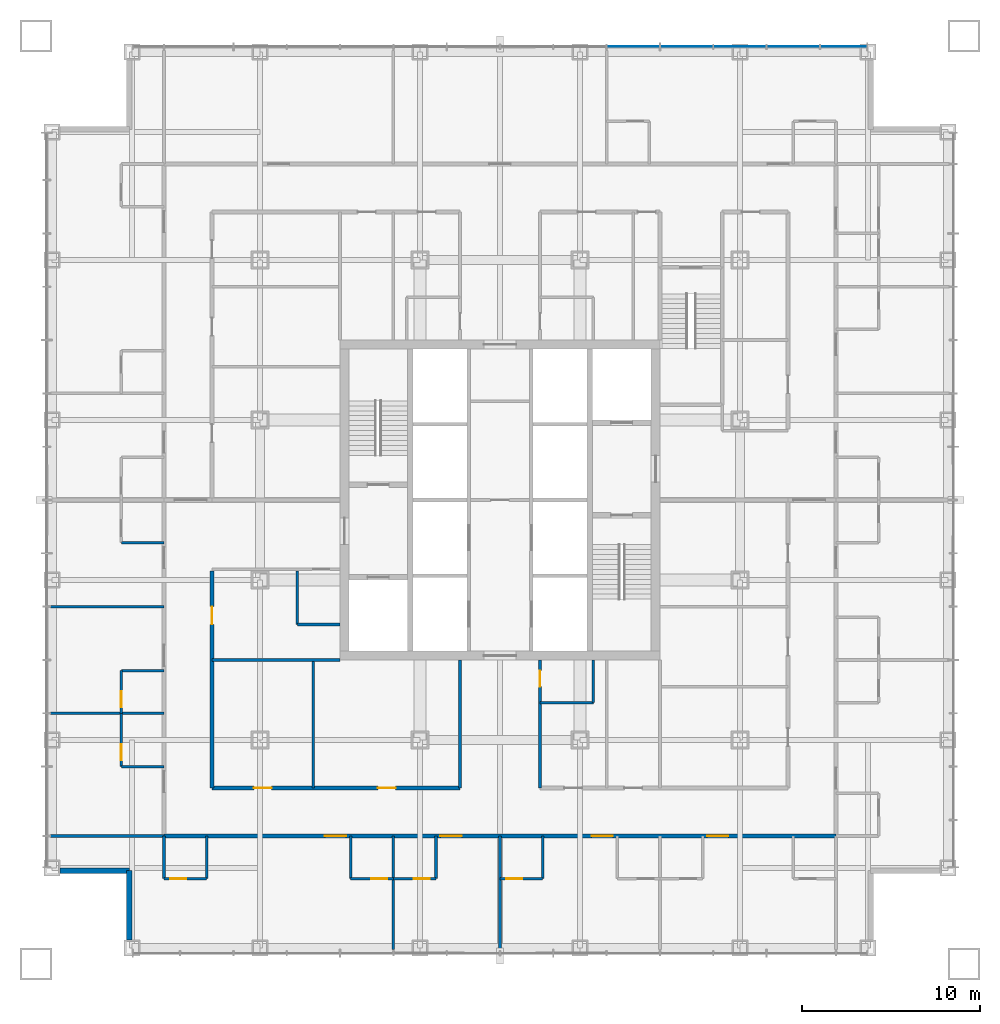
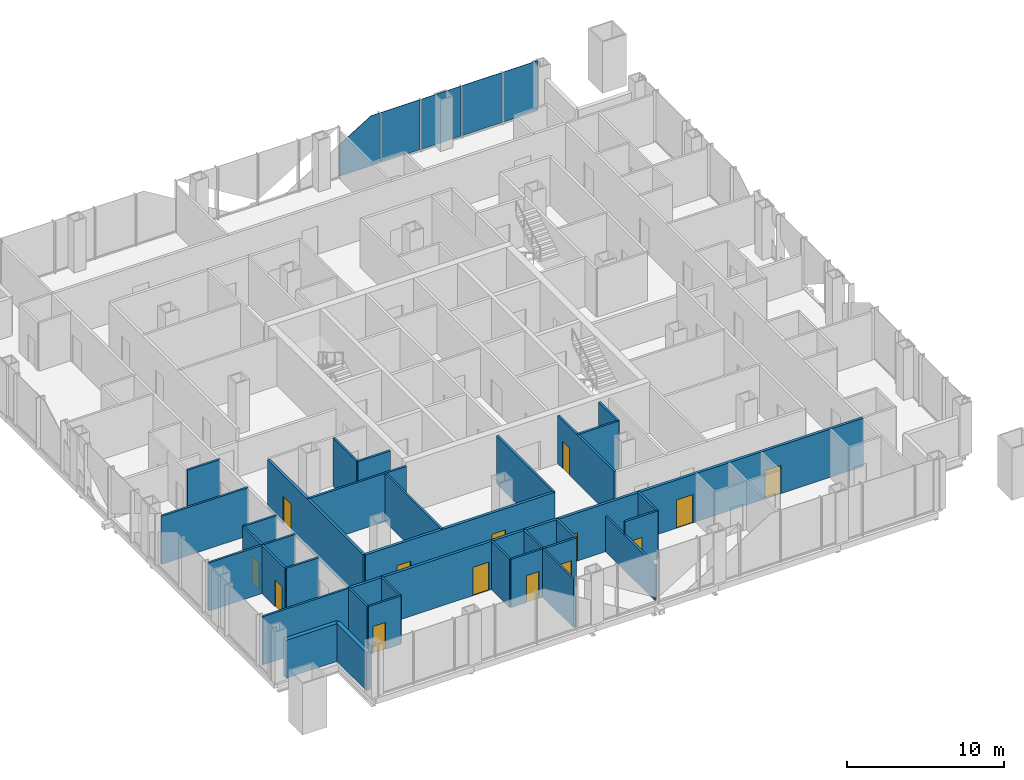
# One storey, part 7 of 13: 32 walls, 14 doors, 5 plates, 14 openings, 1 element without a shape of its own.
"""IFC4 building model written with IfcOpenShell, lengths in metres."""

from ifc_helpers import new_model, si_unit, direction, frame, frame_2d, origin, origin_2d, place, context, subcontext, project, spatial, polyline, rectangle, outline, extrude, material, layer, layer_set, type_object, element, fill, aggregate, save


model = new_model("IFC4")

# Units and contexts
model_context = context("Model", 3, precision=1e-05, world=origin(), true_north=direction((0.0, 1.0)))
body_context = subcontext(model_context, "Body", "Model", "MODEL_VIEW")
ifc_project = project(units=[si_unit("LENGTHUNIT", "METRE"), si_unit("AREAUNIT", "SQUARE_METRE"), si_unit("VOLUMEUNIT", "CUBIC_METRE"), si_unit("PLANEANGLEUNIT", "RADIAN"), si_unit("MASSUNIT", "GRAM", prefix="KILO")], contexts=[model_context])

# Site, building, storey
site_placement = place(None, origin())
site = spatial("IfcSite", under=ifc_project, at=site_placement, CompositionType="ELEMENT")
building_placement = place(site_placement, origin())
building = spatial("IfcBuilding", under=site, at=building_placement, Name="Malebo Sky Hospital", CompositionType="ELEMENT")
storey_placement = place(building_placement, frame((0.0, 0.0, 79.0)))
storey = spatial("IfcBuildingStorey", under=building, at=storey_placement, Name="L18", CompositionType="ELEMENT", Elevation=79.0)

# Curtain wall, plates
ifc_material_1 = material(Name="Anodised aluminium, natural silver", Category="aluminium")
ifc_layer_1 = layer(ifc_material_1, 0.25)
ifc_layer_set_1 = layer_set([ifc_layer_1], Name="WARD CURTAIN WALL NORTH AND SOUTH")
curtain_wall_type = type_object("IfcCurtainWallType", Name="WARD CURTAIN WALL NORTH AND SOUTH", PredefinedType="NOTDEFINED", material=ifc_layer_set_1)
curtain_wall_placement = place(storey_placement, origin())
curtain_wall = element("IfcCurtainWall", 1, at=curtain_wall_placement, inside=storey, type_object=curtain_wall_type, Name="NS curtain wall N", PredefinedType="NOTDEFINED")
ifc_material_2 = material(Name="Clear low-iron double glazing", Category="glass")
ifc_layer_2 = layer(ifc_material_2, 0.031982421875)
ifc_layer_set_2 = layer_set([ifc_layer_2], Name="VISION PANEL CLEAR 32")
plate_type = type_object("IfcPlateType", Name="VISION PANEL CLEAR 32", PredefinedType="CURTAIN_PANEL", material=ifc_layer_set_2)
plate_1_placement = place(storey_placement, frame((67.5, 87.5, 0.10009765625), z_axis=(0.0, 0.0, 1.0), x_axis=(1.0, 0.0, 0.0)))
plate_1 = element("IfcPlate", 2, at=plate_1_placement, type_object=plate_type, Name="Panel 10", PredefinedType="CURTAIN_PANEL", context=body_context, shape_type="SweptSolid", body=[
    extrude(outline(polyline([(-1.46240234375, 0.0), (1.46240234375, 0.0), (1.46240234375, 3.889892578125), (0.85791015625, 3.889892578125), (-1.46240234375, 2.467529296875), (-1.46240234375, 0.0)])), frame((0.0, 0.01611328125, 0.0), z_axis=(0.0, -1.0, 0.0), x_axis=(1.0, 0.0, 0.0)), (0.0, 0.0, 1.0), 0.031982421875),
])
plate_2_placement = place(storey_placement, frame((70.5, 87.5, 0.10009765625), z_axis=(0.0, 0.0, 1.0), x_axis=(1.0, 0.0, 0.0)))
plate_2 = element("IfcPlate", 3, at=plate_2_placement, type_object=plate_type, Name="Panel 11", PredefinedType="CURTAIN_PANEL", context=body_context, shape_type="SweptSolid", body=[
    extrude(rectangle(XDim=2.925048828125, YDim=0.031982421875, at=origin_2d()), origin(), (0.0, 0.0, 1.0), 3.889892578125),
])
plate_3_placement = place(storey_placement, frame((73.5, 87.5, 0.10009765625), z_axis=(0.0, 0.0, 1.0), x_axis=(1.0, 0.0, 0.0)))
plate_3 = element("IfcPlate", 4, at=plate_3_placement, type_object=plate_type, Name="Panel 12", PredefinedType="CURTAIN_PANEL", context=body_context, shape_type="SweptSolid", body=[
    extrude(rectangle(XDim=2.925048828125, YDim=0.031982421875, at=origin_2d()), origin(), (0.0, 0.0, 1.0), 3.889892578125),
])
plate_4_placement = place(storey_placement, frame((76.5, 87.5, 0.10009765625), z_axis=(0.0, 0.0, 1.0), x_axis=(1.0, 0.0, 0.0)))
plate_4 = element("IfcPlate", 5, at=plate_4_placement, type_object=plate_type, Name="Panel 13", PredefinedType="CURTAIN_PANEL", context=body_context, shape_type="SweptSolid", body=[
    extrude(rectangle(XDim=2.925048828125, YDim=0.031982421875, at=origin_2d()), origin(), (0.0, 0.0, 1.0), 3.889892578125),
])
plate_5_placement = place(storey_placement, frame((79.331298828125, 87.5, 0.10009765625), z_axis=(0.0, 0.0, 1.0), x_axis=(1.0, 0.0, 0.0)))
plate_5 = element("IfcPlate", 6, at=plate_5_placement, type_object=plate_type, Name="Panel 14", PredefinedType="CURTAIN_PANEL", context=body_context, shape_type="SweptSolid", body=[
    extrude(rectangle(XDim=2.58740234375, YDim=0.031982421875, at=origin_2d()), origin(), (0.0, 0.0, 1.0), 3.889892578125),
])
aggregate(curtain_wall, [plate_1, plate_2, plate_3, plate_4, plate_5])

# Wall, opening, door
ifc_material_3 = material(Name="Gypsum board on steel studs", Category="steel")
ifc_layer_3 = layer(ifc_material_3, 0.199951171875)
ifc_layer_set_3 = layer_set([ifc_layer_3], Name="CORRIDOR WALL 200")
wall_type_1 = type_object("IfcWallType", Name="CORRIDOR WALL 200", PredefinedType="PARTITIONING", material=ifc_layer_set_3)
wall_1_placement = place(storey_placement, frame((43.800048828125, 45.800048828125, 0.0), z_axis=(0.0, 0.0, 1.0), x_axis=(0.0, 1.0, 0.0)))
wall_1 = element("IfcWall", 7, at=wall_1_placement, inside=storey, type_object=wall_type_1, Name="Corridor Wall 200 WCI1", PredefinedType="PARTITIONING", context=body_context, shape_type="SweptSolid", body=[
    extrude(rectangle(XDim=12.199951171875, YDim=0.199951171875, at=frame_2d((6.10009765625, 0.0))), origin(), (0.0, 0.0, 1.0), 3.75),
])
opening_1_placement = place(wall_1_placement, frame((9.199951171875, 0.0, 0.0)))
opening_1 = element("IfcOpeningElement", 8, at=opening_1_placement, cuts=wall_1, Name="Opening D03", PredefinedType="OPENING", context=body_context, shape_type="SweptSolid", body=[
    extrude(rectangle(XDim=1.0, YDim=2.10009765625, at=frame_2d((0.5, 1.050048828125))), frame((0.0, 0.10986328125, 0.0), z_axis=(0.0, -1.0, 0.0), x_axis=(1.0, 0.0, 0.0)), (0.0, 0.0, 1.0), 0.219970703125),
])
ifc_material_4 = material(Name="Hardwood-faced door leaf in steel frame", Category="steel")
door_type_1 = type_object("IfcDoorType", Name="ROOM DOOR 1000", OperationType="SINGLE_SWING_LEFT", PredefinedType="DOOR", material=ifc_material_4)
door_1_placement = place(opening_1_placement, origin())
door_1 = element("IfcDoor", 9, at=door_1_placement, inside=storey, type_object=door_type_1, Name="Ward office door", OperationType="SINGLE_SWING_LEFT", OverallHeight=2.10009765625, OverallWidth=1.0, PredefinedType="DOOR", context=body_context, shape_type="SweptSolid", body=[
    extrude(rectangle(XDim=1.0, YDim=2.10009765625, at=frame_2d((0.5, 1.050048828125))), frame((0.0, 0.02490234375, 0.0), z_axis=(0.0, -1.0, 0.0), x_axis=(1.0, 0.0, 0.0)), (0.0, 0.0, 1.0), 0.050048828125),
])
fill(opening_1, door_1)

# Wall, openings, doors
wall_2_placement = place(storey_placement, frame((78.89990234375, 43.10009765625, 0.0), z_axis=(0.0, 0.0, 1.0), x_axis=(-1.0, 0.0, 0.0)))
wall_2 = element("IfcWall", 10, at=wall_2_placement, inside=storey, type_object=wall_type_1, Name="Corridor Wall 200 SCO", PredefinedType="PARTITIONING", context=body_context, shape_type="SweptSolid", body=[
    extrude(rectangle(XDim=37.7998046875, YDim=0.199951171875, at=frame_2d((18.89990234375, 0.0))), origin(), (0.0, 0.0, 1.0), 3.75),
])
opening_2_placement = place(wall_2_placement, frame((6.050048828125, 0.0, 0.0)))
opening_2 = element("IfcOpeningElement", 11, at=opening_2_placement, cuts=wall_2, Name="Opening D01", PredefinedType="OPENING", context=body_context, shape_type="SweptSolid", body=[
    extrude(rectangle(XDim=1.199951171875, YDim=2.199951171875, at=frame_2d((0.60009765625, 1.10009765625))), frame((0.0, 0.10986328125, 0.0), z_axis=(0.0, -1.0, 0.0), x_axis=(1.0, 0.0, 0.0)), (0.0, 0.0, 1.0), 0.219970703125),
])
opening_3_placement = place(wall_2_placement, frame((12.550048828125, 0.0, 0.0)))
opening_3 = element("IfcOpeningElement", 12, at=opening_3_placement, cuts=wall_2, Name="Opening D01", PredefinedType="OPENING", context=body_context, shape_type="SweptSolid", body=[
    extrude(rectangle(XDim=1.199951171875, YDim=2.199951171875, at=frame_2d((0.60009765625, 1.10009765625))), frame((0.0, 0.10986328125, 0.0), z_axis=(0.0, -1.0, 0.0), x_axis=(1.0, 0.0, 0.0)), (0.0, 0.0, 1.0), 0.219970703125),
])
opening_4_placement = place(wall_2_placement, frame((21.050048828125, 0.0, 0.0)))
opening_4 = element("IfcOpeningElement", 13, at=opening_4_placement, cuts=wall_2, Name="Opening D01", PredefinedType="OPENING", context=body_context, shape_type="SweptSolid", body=[
    extrude(rectangle(XDim=1.199951171875, YDim=2.199951171875, at=frame_2d((0.60009765625, 1.10009765625))), frame((0.0, 0.10986328125, 0.0), z_axis=(0.0, -1.0, 0.0), x_axis=(1.0, 0.0, 0.0)), (0.0, 0.0, 1.0), 0.219970703125),
])
opening_5_placement = place(wall_2_placement, frame((27.550048828125, 0.0, 0.0)))
opening_5 = element("IfcOpeningElement", 14, at=opening_5_placement, cuts=wall_2, Name="Opening D01", PredefinedType="OPENING", context=body_context, shape_type="SweptSolid", body=[
    extrude(rectangle(XDim=1.199951171875, YDim=2.199951171875, at=frame_2d((0.60009765625, 1.10009765625))), frame((0.0, 0.10986328125, 0.0), z_axis=(0.0, -1.0, 0.0), x_axis=(1.0, 0.0, 0.0)), (0.0, 0.0, 1.0), 0.219970703125),
])
door_type_2 = type_object("IfcDoorType", Name="BED DOOR 1200", OperationType="SINGLE_SWING_LEFT", PredefinedType="DOOR", material=ifc_material_4)
door_2_placement = place(opening_2_placement, origin())
door_2 = element("IfcDoor", 15, at=door_2_placement, inside=storey, type_object=door_type_2, Name="Four-bed bay door", OperationType="SINGLE_SWING_RIGHT", OverallHeight=2.199951171875, OverallWidth=1.199951171875, PredefinedType="DOOR", context=body_context, shape_type="SweptSolid", body=[
    extrude(rectangle(XDim=1.199951171875, YDim=2.199951171875, at=frame_2d((0.60009765625, 1.10009765625))), frame((0.0, 0.02490234375, 0.0), z_axis=(0.0, -1.0, 0.0), x_axis=(1.0, 0.0, 0.0)), (0.0, 0.0, 1.0), 0.050048828125),
])
fill(opening_2, door_2)
door_3_placement = place(opening_3_placement, origin())
door_3 = element("IfcDoor", 16, at=door_3_placement, inside=storey, type_object=door_type_2, Name="Four-bed bay door", OperationType="SINGLE_SWING_LEFT", OverallHeight=2.199951171875, OverallWidth=1.199951171875, PredefinedType="DOOR", context=body_context, shape_type="SweptSolid", body=[
    extrude(rectangle(XDim=1.199951171875, YDim=2.199951171875, at=frame_2d((0.60009765625, 1.10009765625))), frame((0.0, 0.02490234375, 0.0), z_axis=(0.0, -1.0, 0.0), x_axis=(1.0, 0.0, 0.0)), (0.0, 0.0, 1.0), 0.050048828125),
])
fill(opening_3, door_3)
door_4_placement = place(opening_4_placement, origin())
door_4 = element("IfcDoor", 17, at=door_4_placement, inside=storey, type_object=door_type_2, Name="Single bed room door", OperationType="SINGLE_SWING_RIGHT", OverallHeight=2.199951171875, OverallWidth=1.199951171875, PredefinedType="DOOR", context=body_context, shape_type="SweptSolid", body=[
    extrude(rectangle(XDim=1.199951171875, YDim=2.199951171875, at=frame_2d((0.60009765625, 1.10009765625))), frame((0.0, 0.02490234375, 0.0), z_axis=(0.0, -1.0, 0.0), x_axis=(1.0, 0.0, 0.0)), (0.0, 0.0, 1.0), 0.050048828125),
])
fill(opening_4, door_4)
door_5_placement = place(opening_5_placement, origin())
door_5 = element("IfcDoor", 18, at=door_5_placement, inside=storey, type_object=door_type_2, Name="Four-bed bay door", OperationType="SINGLE_SWING_LEFT", OverallHeight=2.199951171875, OverallWidth=1.199951171875, PredefinedType="DOOR", context=body_context, shape_type="SweptSolid", body=[
    extrude(rectangle(XDim=1.199951171875, YDim=2.199951171875, at=frame_2d((0.60009765625, 1.10009765625))), frame((0.0, 0.02490234375, 0.0), z_axis=(0.0, -1.0, 0.0), x_axis=(1.0, 0.0, 0.0)), (0.0, 0.0, 1.0), 0.050048828125),
])
fill(opening_5, door_5)

wall_3_placement = place(storey_placement, frame((57.75, 45.800048828125, 0.0), z_axis=(0.0, 0.0, 1.0), x_axis=(-1.0, 0.0, 0.0)))
wall_3 = element("IfcWall", 19, at=wall_3_placement, inside=storey, type_object=wall_type_1, Name="Corridor Wall 200 SCI2", PredefinedType="PARTITIONING", context=body_context, shape_type="SweptSolid", body=[
    extrude(rectangle(XDim=13.949951171875, YDim=0.199951171875, at=frame_2d((6.97509765625, 0.0))), origin(), (0.0, 0.0, 1.0), 3.75),
])
opening_6_placement = place(wall_3_placement, frame((3.625, 0.0, 0.0)))
opening_6 = element("IfcOpeningElement", 20, at=opening_6_placement, cuts=wall_3, Name="Opening D03", PredefinedType="OPENING", context=body_context, shape_type="SweptSolid", body=[
    extrude(rectangle(XDim=1.0, YDim=2.10009765625, at=frame_2d((0.5, 1.050048828125))), frame((0.0, 0.10986328125, 0.0), z_axis=(0.0, -1.0, 0.0), x_axis=(1.0, 0.0, 0.0)), (0.0, 0.0, 1.0), 0.219970703125),
])
opening_7_placement = place(wall_3_placement, frame((10.60009765625, 0.0, 0.0)))
opening_7 = element("IfcOpeningElement", 21, at=opening_7_placement, cuts=wall_3, Name="Opening D03", PredefinedType="OPENING", context=body_context, shape_type="SweptSolid", body=[
    extrude(rectangle(XDim=1.0, YDim=2.10009765625, at=frame_2d((0.5, 1.050048828125))), frame((0.0, 0.10986328125, 0.0), z_axis=(0.0, -1.0, 0.0), x_axis=(1.0, 0.0, 0.0)), (0.0, 0.0, 1.0), 0.219970703125),
])
door_6_placement = place(opening_6_placement, origin())
door_6 = element("IfcDoor", 22, at=door_6_placement, inside=storey, type_object=door_type_1, Name="Nurse station door", OperationType="SINGLE_SWING_LEFT", OverallHeight=2.10009765625, OverallWidth=1.0, PredefinedType="DOOR", context=body_context, shape_type="SweptSolid", body=[
    extrude(rectangle(XDim=1.0, YDim=2.10009765625, at=frame_2d((0.5, 1.050048828125))), frame((0.0, 0.02490234375, 0.0), z_axis=(0.0, -1.0, 0.0), x_axis=(1.0, 0.0, 0.0)), (0.0, 0.0, 1.0), 0.050048828125),
])
fill(opening_6, door_6)
door_7_placement = place(opening_7_placement, origin())
door_7 = element("IfcDoor", 23, at=door_7_placement, inside=storey, type_object=door_type_1, Name="Speech therapy room door", OperationType="SINGLE_SWING_RIGHT", OverallHeight=2.10009765625, OverallWidth=1.0, PredefinedType="DOOR", context=body_context, shape_type="SweptSolid", body=[
    extrude(rectangle(XDim=1.0, YDim=2.10009765625, at=frame_2d((0.5, 1.050048828125))), frame((0.0, 0.02490234375, 0.0), z_axis=(0.0, -1.0, 0.0), x_axis=(1.0, 0.0, 0.0)), (0.0, 0.0, 1.0), 0.050048828125),
])
fill(opening_7, door_7)

# Walls
ifc_material_5 = material(Name="Anodised aluminium rainscreen on steel framing", Category="steel")
ifc_layer_4 = layer(ifc_material_5, 0.300048828125)
ifc_layer_set_4 = layer_set([ifc_layer_4], Name="NOTCH RAINSCREEN WALL 300")
wall_type_2 = type_object("IfcWallType", Name="NOTCH RAINSCREEN WALL 300", PredefinedType="ELEMENTEDWALL", material=ifc_layer_set_4)
for number, where, z_axis, x_axis, name in (
    (24, (39.14990234375, 37.25, 0.0), (0.0, 0.0, 1.0), (0.0, 1.0, 0.0), "Notch rainscreen wall S1 L18"),
    (25, (39.14990234375, 41.14990234375, 0.0), (0.0, 0.0, 1.0), (-1.0, 0.0, 0.0), "Notch rainscreen wall S2 L18"),
):
    element("IfcWall", number, at=place(storey_placement, frame(where, z_axis=z_axis, x_axis=x_axis)), inside=storey, type_object=wall_type_2, Name=name, PredefinedType="ELEMENTEDWALL", context=body_context, shape_type="SweptSolid", body=[
        extrude(rectangle(XDim=3.89990234375, YDim=0.300048828125, at=frame_2d((1.949951171875, 0.0))), origin(), (0.0, 0.0, 1.0), 2.949951171875),
    ])
ifc_layer_5 = layer(ifc_material_3, 0.14990234375)
ifc_layer_set_5 = layer_set([ifc_layer_5], Name="PARTITION 150")
wall_type_3 = type_object("IfcWallType", Name="PARTITION 150", PredefinedType="PARTITIONING", material=ifc_layer_set_5)
for number, where, z_axis, x_axis, name in (
    (26, (41.10009765625, 50.0, 0.0), (0.0, 0.0, 1.0), (-1.0, 0.0, 0.0), "Partition 150 WP-12.0"),
    (27, (41.10009765625, 56.0, 0.0), (0.0, 0.0, 1.0), (-1.0, 0.0, 0.0), "Partition 150 WP-6.0"),
    (28, (41.10009765625, 43.10009765625, 0.0), (0.0, 0.0, 1.0), (-1.0, 0.0, 0.0), "Partition 150 WP0"),
):
    element("IfcWall", number, at=place(storey_placement, frame(where, z_axis=z_axis, x_axis=x_axis)), inside=storey, type_object=wall_type_3, Name=name, PredefinedType="PARTITIONING", context=body_context, shape_type="SweptSolid", body=[
        extrude(rectangle(XDim=6.375, YDim=0.14990234375, at=frame_2d((3.1875, 0.0))), origin(), (0.0, 0.0, 1.0), 3.75),
    ])

# Wall, opening, door
wall_4_placement = place(storey_placement, frame((38.699951171875, 47.0, 0.0), z_axis=(0.0, 0.0, 1.0), x_axis=(0.0, 1.0, 0.0)))
wall_4 = element("IfcWall", 29, at=wall_4_placement, inside=storey, type_object=wall_type_3, Name="Partition 150 WE0F", PredefinedType="PARTITIONING", context=body_context, shape_type="SweptSolid", body=[
    extrude(rectangle(XDim=3.0, YDim=0.14990234375, at=frame_2d((1.5, 0.0))), origin(), (0.0, 0.0, 1.0), 3.75),
])
opening_8_placement = place(wall_4_placement, frame((0.35009765625, 0.0, 0.0)))
opening_8 = element("IfcOpeningElement", 30, at=opening_8_placement, cuts=wall_4, Name="Opening D02", PredefinedType="OPENING", context=body_context, shape_type="SweptSolid", body=[
    extrude(rectangle(XDim=0.89990234375, YDim=2.10009765625, at=frame_2d((0.449951171875, 1.050048828125))), frame((0.0, 0.0849609375, 0.0), z_axis=(0.0, -1.0, 0.0), x_axis=(1.0, 0.0, 0.0)), (0.0, 0.0, 1.0), 0.169921875),
])
door_type_3 = type_object("IfcDoorType", Name="EN-SUITE DOOR 900", OperationType="SINGLE_SWING_LEFT", PredefinedType="DOOR", material=ifc_material_4)
door_8_placement = place(opening_8_placement, origin())
door_8 = element("IfcDoor", 31, at=door_8_placement, inside=storey, type_object=door_type_3, Name="En-suite door", OperationType="SINGLE_SWING_LEFT", OverallHeight=2.10009765625, OverallWidth=0.89990234375, PredefinedType="DOOR", context=body_context, shape_type="SweptSolid", body=[
    extrude(rectangle(XDim=0.89990234375, YDim=2.10009765625, at=frame_2d((0.449951171875, 1.050048828125))), frame((0.0, 0.02490234375, 0.0), z_axis=(0.0, -1.0, 0.0), x_axis=(1.0, 0.0, 0.0)), (0.0, 0.0, 1.0), 0.050048828125),
])
fill(opening_8, door_8)

# Wall
wall_5_placement = place(storey_placement, frame((41.10009765625, 47.0, 0.0), z_axis=(0.0, 0.0, 1.0), x_axis=(-1.0, 0.0, 0.0)))
element("IfcWall", 32, at=wall_5_placement, inside=storey, type_object=wall_type_3, Name="Partition 150 WE0S", PredefinedType="PARTITIONING", context=body_context, shape_type="SweptSolid", body=[
    extrude(rectangle(XDim=2.400146484375, YDim=0.14990234375, at=frame_2d((1.2001953125, 0.0))), origin(), (0.0, 0.0, 1.0), 3.75),
])

# Wall, opening, door
wall_6_placement = place(storey_placement, frame((38.699951171875, 50.0, 0.0), z_axis=(0.0, 0.0, 1.0), x_axis=(0.0, 1.0, 0.0)))
wall_6 = element("IfcWall", 33, at=wall_6_placement, inside=storey, type_object=wall_type_3, Name="Partition 150 WE1F", PredefinedType="PARTITIONING", context=body_context, shape_type="SweptSolid", body=[
    extrude(rectangle(XDim=2.39990234375, YDim=0.14990234375, at=frame_2d((1.199951171875, 0.0))), origin(), (0.0, 0.0, 1.0), 3.75),
])
opening_9_placement = place(wall_6_placement, frame((0.35009765625, 0.0, 0.0)))
opening_9 = element("IfcOpeningElement", 34, at=opening_9_placement, cuts=wall_6, Name="Opening D02", PredefinedType="OPENING", context=body_context, shape_type="SweptSolid", body=[
    extrude(rectangle(XDim=0.89990234375, YDim=2.10009765625, at=frame_2d((0.449951171875, 1.050048828125))), frame((0.0, 0.0849609375, 0.0), z_axis=(0.0, -1.0, 0.0), x_axis=(1.0, 0.0, 0.0)), (0.0, 0.0, 1.0), 0.169921875),
])
door_9_placement = place(opening_9_placement, origin())
door_9 = element("IfcDoor", 35, at=door_9_placement, inside=storey, type_object=door_type_3, Name="En-suite door", OperationType="SINGLE_SWING_LEFT", OverallHeight=2.10009765625, OverallWidth=0.89990234375, PredefinedType="DOOR", context=body_context, shape_type="SweptSolid", body=[
    extrude(rectangle(XDim=0.89990234375, YDim=2.10009765625, at=frame_2d((0.449951171875, 1.050048828125))), frame((0.0, 0.02490234375, 0.0), z_axis=(0.0, -1.0, 0.0), x_axis=(1.0, 0.0, 0.0)), (0.0, 0.0, 1.0), 0.050048828125),
])
fill(opening_9, door_9)

# Walls
for number, where, z_axis, x_axis, name in (
    (36, (41.10009765625, 52.39990234375, 0.0), (0.0, 0.0, 1.0), (-1.0, 0.0, 0.0), "Partition 150 WE1S"),
    (37, (41.10009765625, 59.60009765625, 0.0), (0.0, 0.0, 1.0), (-1.0, 0.0, 0.0), "Partition 150 WE2S"),
):
    element("IfcWall", number, at=place(storey_placement, frame(where, z_axis=z_axis, x_axis=x_axis)), inside=storey, type_object=wall_type_3, Name=name, PredefinedType="PARTITIONING", context=body_context, shape_type="SweptSolid", body=[
        extrude(rectangle(XDim=2.400146484375, YDim=0.14990234375, at=frame_2d((1.2001953125, 0.0))), origin(), (0.0, 0.0, 1.0), 3.75),
    ])
wall_7_placement = place(storey_placement, frame((51.0, 53.0, 0.0), z_axis=(0.0, 0.0, 1.0), x_axis=(-1.0, 0.0, 0.0)))
element("IfcWall", 38, at=wall_7_placement, inside=storey, type_object=wall_type_3, Name="Partition 150 WSP0", PredefinedType="PARTITIONING", context=body_context, shape_type="SweptSolid", body=[
    extrude(rectangle(XDim=7.199951171875, YDim=0.14990234375, at=frame_2d((3.60009765625, 0.0))), origin(), (0.0, 0.0, 1.0), 3.75),
])
wall_8_placement = place(storey_placement, frame((48.60009765625, 55.0, 0.0), z_axis=(0.0, 0.0, 1.0), x_axis=(0.0, 1.0, 0.0)))
element("IfcWall", 39, at=wall_8_placement, inside=storey, type_object=wall_type_3, Name="Partition 150 WSX0", PredefinedType="PARTITIONING", context=body_context, shape_type="SweptSolid", body=[
    extrude(rectangle(XDim=3.0, YDim=0.14990234375, at=frame_2d((1.5, 0.0))), origin(), (0.0, 0.0, 1.0), 3.75),
])
wall_9_placement = place(storey_placement, frame((51.0, 55.0, 0.0), z_axis=(0.0, 0.0, 1.0), x_axis=(-1.0, 0.0, 0.0)))
element("IfcWall", 40, at=wall_9_placement, inside=storey, type_object=wall_type_3, Name="Partition 150 WSY0", PredefinedType="PARTITIONING", context=body_context, shape_type="SweptSolid", body=[
    extrude(rectangle(XDim=2.39990234375, YDim=0.14990234375, at=frame_2d((1.199951171875, 0.0))), origin(), (0.0, 0.0, 1.0), 3.75),
])
wall_10_placement = place(storey_placement, frame((60.0, 43.10009765625, 0.0), z_axis=(0.0, 0.0, 1.0), x_axis=(0.0, -1.0, 0.0)))
element("IfcWall", 41, at=wall_10_placement, inside=storey, type_object=wall_type_3, Name="Partition 150 SP+0.0", PredefinedType="PARTITIONING", context=body_context, shape_type="SweptSolid", body=[
    extrude(rectangle(XDim=6.375, YDim=0.14990234375, at=frame_2d((3.1875, 0.0))), origin(), (0.0, 0.0, 1.0), 2.75),
])
wall_11_placement = place(storey_placement, frame((54.0, 43.10009765625, 0.0), z_axis=(0.0, 0.0, 1.0), x_axis=(0.0, -1.0, 0.0)))
element("IfcWall", 42, at=wall_11_placement, inside=storey, type_object=wall_type_3, Name="Partition 150 SP+6.0", PredefinedType="PARTITIONING", context=body_context, shape_type="SweptSolid", body=[
    extrude(rectangle(XDim=6.375, YDim=0.14990234375, at=frame_2d((3.1875, 0.0))), origin(), (0.0, 0.0, 1.0), 3.75),
])

# Wall, opening, door
wall_12_placement = place(storey_placement, frame((62.39990234375, 40.699951171875, 0.0), z_axis=(0.0, 0.0, 1.0), x_axis=(-1.0, 0.0, 0.0)))
wall_12 = element("IfcWall", 43, at=wall_12_placement, inside=storey, type_object=wall_type_3, Name="Partition 150 SG1F", PredefinedType="PARTITIONING", context=body_context, shape_type="SweptSolid", body=[
    extrude(rectangle(XDim=2.39990234375, YDim=0.14990234375, at=frame_2d((1.199951171875, 0.0))), origin(), (0.0, 0.0, 1.0), 3.75),
])
opening_10_placement = place(wall_12_placement, frame((1.14990234375, 0.0, 0.0)))
opening_10 = element("IfcOpeningElement", 44, at=opening_10_placement, cuts=wall_12, Name="Opening D02", PredefinedType="OPENING", context=body_context, shape_type="SweptSolid", body=[
    extrude(rectangle(XDim=0.89990234375, YDim=2.10009765625, at=frame_2d((0.449951171875, 1.050048828125))), frame((0.0, 0.0849609375, 0.0), z_axis=(0.0, -1.0, 0.0), x_axis=(1.0, 0.0, 0.0)), (0.0, 0.0, 1.0), 0.169921875),
])
door_10_placement = place(opening_10_placement, origin())
door_10 = element("IfcDoor", 45, at=door_10_placement, inside=storey, type_object=door_type_3, Name="En-suite door", OperationType="SINGLE_SWING_RIGHT", OverallHeight=2.10009765625, OverallWidth=0.89990234375, PredefinedType="DOOR", context=body_context, shape_type="SweptSolid", body=[
    extrude(rectangle(XDim=0.89990234375, YDim=2.10009765625, at=frame_2d((0.449951171875, 1.050048828125))), frame((0.0, 0.02490234375, 0.0), z_axis=(0.0, -1.0, 0.0), x_axis=(1.0, 0.0, 0.0)), (0.0, 0.0, 1.0), 0.050048828125),
])
fill(opening_10, door_10)

# Wall
wall_13_placement = place(storey_placement, frame((62.39990234375, 43.10009765625, 0.0), z_axis=(0.0, 0.0, 1.0), x_axis=(0.0, -1.0, 0.0)))
element("IfcWall", 46, at=wall_13_placement, inside=storey, type_object=wall_type_3, Name="Partition 150 SG1S", PredefinedType="PARTITIONING", context=body_context, shape_type="SweptSolid", body=[
    extrude(rectangle(XDim=2.400146484375, YDim=0.14990234375, at=frame_2d((1.2001953125, 0.0))), origin(), (0.0, 0.0, 1.0), 3.75),
])

# Wall, opening, door
wall_14_placement = place(storey_placement, frame((56.39990234375, 40.699951171875, 0.0), z_axis=(0.0, 0.0, 1.0), x_axis=(-1.0, 0.0, 0.0)))
wall_14 = element("IfcWall", 47, at=wall_14_placement, inside=storey, type_object=wall_type_3, Name="Partition 150 SE2F", PredefinedType="PARTITIONING", context=body_context, shape_type="SweptSolid", body=[
    extrude(rectangle(XDim=2.39990234375, YDim=0.14990234375, at=frame_2d((1.199951171875, 0.0))), origin(), (0.0, 0.0, 1.0), 3.75),
])
opening_11_placement = place(wall_14_placement, frame((0.35009765625, 0.0, 0.0)))
opening_11 = element("IfcOpeningElement", 48, at=opening_11_placement, cuts=wall_14, Name="Opening D02", PredefinedType="OPENING", context=body_context, shape_type="SweptSolid", body=[
    extrude(rectangle(XDim=0.89990234375, YDim=2.10009765625, at=frame_2d((0.449951171875, 1.050048828125))), frame((0.0, 0.0849609375, 0.0), z_axis=(0.0, -1.0, 0.0), x_axis=(1.0, 0.0, 0.0)), (0.0, 0.0, 1.0), 0.169921875),
])
door_11_placement = place(opening_11_placement, origin())
door_11 = element("IfcDoor", 49, at=door_11_placement, inside=storey, type_object=door_type_3, Name="En-suite door", OperationType="SINGLE_SWING_LEFT", OverallHeight=2.10009765625, OverallWidth=0.89990234375, PredefinedType="DOOR", context=body_context, shape_type="SweptSolid", body=[
    extrude(rectangle(XDim=0.89990234375, YDim=2.10009765625, at=frame_2d((0.449951171875, 1.050048828125))), frame((0.0, 0.02490234375, 0.0), z_axis=(0.0, -1.0, 0.0), x_axis=(1.0, 0.0, 0.0)), (0.0, 0.0, 1.0), 0.050048828125),
])
fill(opening_11, door_11)

# Wall
wall_15_placement = place(storey_placement, frame((56.39990234375, 43.10009765625, 0.0), z_axis=(0.0, 0.0, 1.0), x_axis=(0.0, -1.0, 0.0)))
element("IfcWall", 50, at=wall_15_placement, inside=storey, type_object=wall_type_3, Name="Partition 150 SE2S", PredefinedType="PARTITIONING", context=body_context, shape_type="SweptSolid", body=[
    extrude(rectangle(XDim=2.400146484375, YDim=0.14990234375, at=frame_2d((1.2001953125, 0.0))), origin(), (0.0, 0.0, 1.0), 3.75),
])

# Wall, opening, door
wall_16_placement = place(storey_placement, frame((54.0, 40.699951171875, 0.0), z_axis=(0.0, 0.0, 1.0), x_axis=(-1.0, 0.0, 0.0)))
wall_16 = element("IfcWall", 51, at=wall_16_placement, inside=storey, type_object=wall_type_3, Name="Partition 150 SE3F", PredefinedType="PARTITIONING", context=body_context, shape_type="SweptSolid", body=[
    extrude(rectangle(XDim=2.39990234375, YDim=0.14990234375, at=frame_2d((1.199951171875, 0.0))), origin(), (0.0, 0.0, 1.0), 3.75),
])
opening_12_placement = place(wall_16_placement, frame((0.35009765625, 0.0, 0.0)))
opening_12 = element("IfcOpeningElement", 52, at=opening_12_placement, cuts=wall_16, Name="Opening D02", PredefinedType="OPENING", context=body_context, shape_type="SweptSolid", body=[
    extrude(rectangle(XDim=0.89990234375, YDim=2.10009765625, at=frame_2d((0.449951171875, 1.050048828125))), frame((0.0, 0.0849609375, 0.0), z_axis=(0.0, -1.0, 0.0), x_axis=(1.0, 0.0, 0.0)), (0.0, 0.0, 1.0), 0.169921875),
])
door_12_placement = place(opening_12_placement, origin())
door_12 = element("IfcDoor", 53, at=door_12_placement, inside=storey, type_object=door_type_3, Name="En-suite door", OperationType="SINGLE_SWING_LEFT", OverallHeight=2.10009765625, OverallWidth=0.89990234375, PredefinedType="DOOR", context=body_context, shape_type="SweptSolid", body=[
    extrude(rectangle(XDim=0.89990234375, YDim=2.10009765625, at=frame_2d((0.449951171875, 1.050048828125))), frame((0.0, 0.02490234375, 0.0), z_axis=(0.0, -1.0, 0.0), x_axis=(1.0, 0.0, 0.0)), (0.0, 0.0, 1.0), 0.050048828125),
])
fill(opening_12, door_12)

# Wall
wall_17_placement = place(storey_placement, frame((51.60009765625, 43.10009765625, 0.0), z_axis=(0.0, 0.0, 1.0), x_axis=(0.0, -1.0, 0.0)))
element("IfcWall", 54, at=wall_17_placement, inside=storey, type_object=wall_type_3, Name="Partition 150 SE3S", PredefinedType="PARTITIONING", context=body_context, shape_type="SweptSolid", body=[
    extrude(rectangle(XDim=2.400146484375, YDim=0.14990234375, at=frame_2d((1.2001953125, 0.0))), origin(), (0.0, 0.0, 1.0), 3.75),
])

# Wall, opening, door
wall_18_placement = place(storey_placement, frame((43.5, 40.699951171875, 0.0), z_axis=(0.0, 0.0, 1.0), x_axis=(-1.0, 0.0, 0.0)))
wall_18 = element("IfcWall", 55, at=wall_18_placement, inside=storey, type_object=wall_type_3, Name="Partition 150 SG3F", PredefinedType="PARTITIONING", context=body_context, shape_type="SweptSolid", body=[
    extrude(rectangle(XDim=2.39990234375, YDim=0.14990234375, at=frame_2d((1.199951171875, 0.0))), origin(), (0.0, 0.0, 1.0), 3.75),
])
opening_13_placement = place(wall_18_placement, frame((1.14990234375, 0.0, 0.0)))
opening_13 = element("IfcOpeningElement", 56, at=opening_13_placement, cuts=wall_18, Name="Opening D02", PredefinedType="OPENING", context=body_context, shape_type="SweptSolid", body=[
    extrude(rectangle(XDim=0.89990234375, YDim=2.10009765625, at=frame_2d((0.449951171875, 1.050048828125))), frame((0.0, 0.0849609375, 0.0), z_axis=(0.0, -1.0, 0.0), x_axis=(1.0, 0.0, 0.0)), (0.0, 0.0, 1.0), 0.169921875),
])
door_13_placement = place(opening_13_placement, origin())
door_13 = element("IfcDoor", 57, at=door_13_placement, inside=storey, type_object=door_type_3, Name="En-suite door", OperationType="SINGLE_SWING_RIGHT", OverallHeight=2.10009765625, OverallWidth=0.89990234375, PredefinedType="DOOR", context=body_context, shape_type="SweptSolid", body=[
    extrude(rectangle(XDim=0.89990234375, YDim=2.10009765625, at=frame_2d((0.449951171875, 1.050048828125))), frame((0.0, 0.02490234375, 0.0), z_axis=(0.0, -1.0, 0.0), x_axis=(1.0, 0.0, 0.0)), (0.0, 0.0, 1.0), 0.050048828125),
])
fill(opening_13, door_13)

# Walls
for number, where, z_axis, x_axis, name in (
    (58, (43.5, 43.10009765625, 0.0), (0.0, 0.0, 1.0), (0.0, -1.0, 0.0), "Partition 150 SG3S"),
    (59, (41.10009765625, 43.10009765625, 0.0), (0.0, 0.0, 1.0), (0.0, -1.0, 0.0), "Partition 150 SEZ"),
):
    element("IfcWall", number, at=place(storey_placement, frame(where, z_axis=z_axis, x_axis=x_axis)), inside=storey, type_object=wall_type_3, Name=name, PredefinedType="PARTITIONING", context=body_context, shape_type="SweptSolid", body=[
        extrude(rectangle(XDim=2.400146484375, YDim=0.14990234375, at=frame_2d((1.2001953125, 0.0))), origin(), (0.0, 0.0, 1.0), 3.75),
    ])

# Wall, opening, door
wall_19_placement = place(storey_placement, frame((62.25, 53.0, 0.0), z_axis=(0.0, 0.0, 1.0), x_axis=(0.0, -1.0, 0.0)))
wall_19 = element("IfcWall", 60, at=wall_19_placement, inside=storey, type_object=wall_type_3, Name="Partition 150 SSPA", PredefinedType="PARTITIONING", context=body_context, shape_type="SweptSolid", body=[
    extrude(rectangle(XDim=7.199951171875, YDim=0.14990234375, at=frame_2d((3.60009765625, 0.0))), origin(), (0.0, 0.0, 1.0), 3.75),
])
opening_14_placement = place(wall_19_placement, frame((0.60009765625, 0.0, 0.0)))
opening_14 = element("IfcOpeningElement", 61, at=opening_14_placement, cuts=wall_19, Name="Opening D04", PredefinedType="OPENING", context=body_context, shape_type="SweptSolid", body=[
    extrude(rectangle(XDim=0.89990234375, YDim=2.10009765625, at=frame_2d((0.449951171875, 1.050048828125))), frame((0.0, 0.0849609375, 0.0), z_axis=(0.0, -1.0, 0.0), x_axis=(1.0, 0.0, 0.0)), (0.0, 0.0, 1.0), 0.169921875),
])
door_type_4 = type_object("IfcDoorType", Name="ROOM DOOR 900", OperationType="SINGLE_SWING_LEFT", PredefinedType="DOOR", material=ifc_material_4)
door_14_placement = place(opening_14_placement, origin())
door_14 = element("IfcDoor", 62, at=door_14_placement, inside=storey, type_object=door_type_4, Name="Visitor WC door", OperationType="SINGLE_SWING_LEFT", OverallHeight=2.10009765625, OverallWidth=0.89990234375, PredefinedType="DOOR", context=body_context, shape_type="SweptSolid", body=[
    extrude(rectangle(XDim=0.89990234375, YDim=2.10009765625, at=frame_2d((0.449951171875, 1.050048828125))), frame((0.0, 0.02490234375, 0.0), z_axis=(0.0, -1.0, 0.0), x_axis=(1.0, 0.0, 0.0)), (0.0, 0.0, 1.0), 0.050048828125),
])
fill(opening_14, door_14)

# Walls
for number, where, z_axis, x_axis, name in (
    (63, (57.75, 53.0, 0.0), (0.0, 0.0, 1.0), (0.0, -1.0, 0.0), "Partition 150 SSPB"),
    (64, (49.5, 53.0, 0.0), (0.0, 0.0, 1.0), (0.0, -1.0, 0.0), "Partition 150 SSP+10.5"),
):
    element("IfcWall", number, at=place(storey_placement, frame(where, z_axis=z_axis, x_axis=x_axis)), inside=storey, type_object=wall_type_3, Name=name, PredefinedType="PARTITIONING", context=body_context, shape_type="SweptSolid", body=[
        extrude(rectangle(XDim=7.199951171875, YDim=0.14990234375, at=frame_2d((3.60009765625, 0.0))), origin(), (0.0, 0.0, 1.0), 3.75),
    ])
wall_20_placement = place(storey_placement, frame((65.25, 50.60009765625, 0.0), z_axis=(0.0, 0.0, 1.0), x_axis=(-1.0, 0.0, 0.0)))
element("IfcWall", 65, at=wall_20_placement, inside=storey, type_object=wall_type_3, Name="Partition 150 SSX1", PredefinedType="PARTITIONING", context=body_context, shape_type="SweptSolid", body=[
    extrude(rectangle(XDim=3.0, YDim=0.14990234375, at=frame_2d((1.5, 0.0))), origin(), (0.0, 0.0, 1.0), 3.75),
])
wall_21_placement = place(storey_placement, frame((65.25, 53.0, 0.0), z_axis=(0.0, 0.0, 1.0), x_axis=(0.0, -1.0, 0.0)))
element("IfcWall", 66, at=wall_21_placement, inside=storey, type_object=wall_type_3, Name="Partition 150 SSY1", PredefinedType="PARTITIONING", context=body_context, shape_type="SweptSolid", body=[
    extrude(rectangle(XDim=2.39990234375, YDim=0.14990234375, at=frame_2d((1.199951171875, 0.0))), origin(), (0.0, 0.0, 1.0), 3.75),
])

save(model, "model.ifc")
